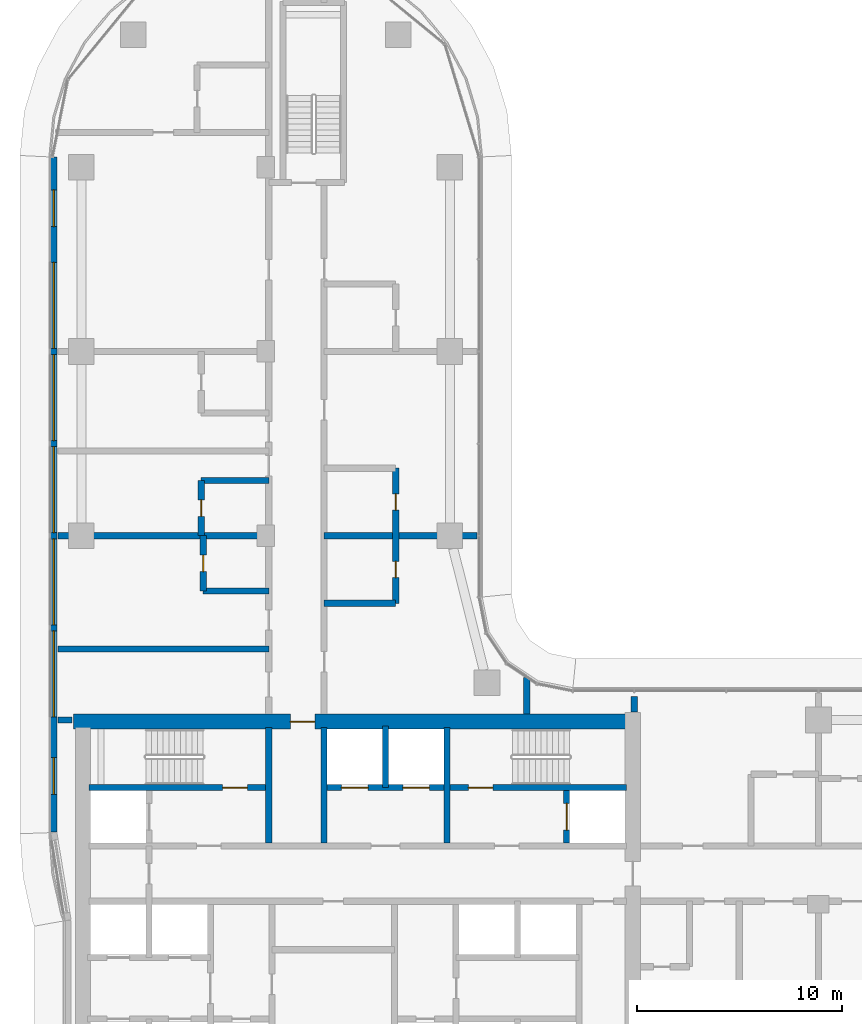
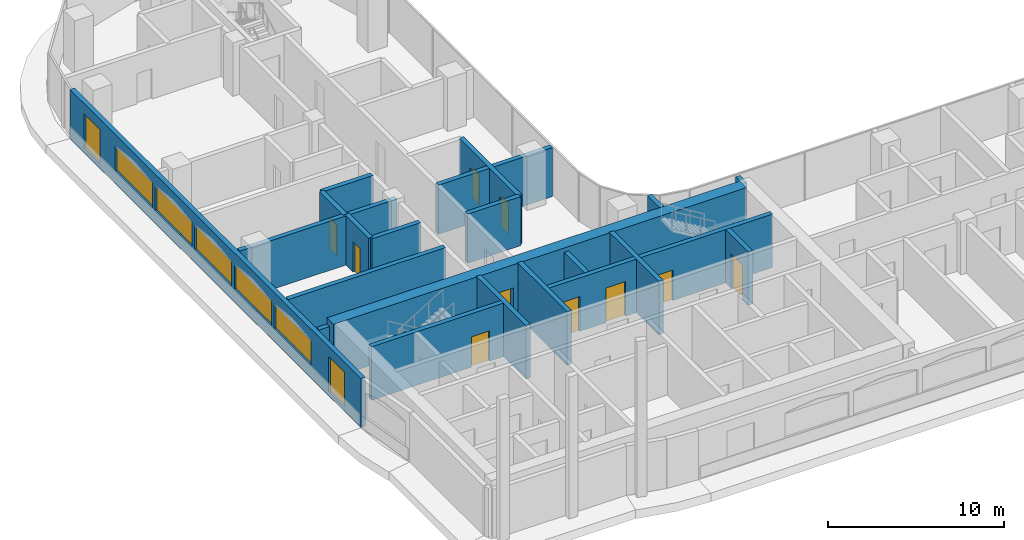
# One storey, part 10 of 25: 21 walls, 10 doors, 7 windows, 17 openings.
"""IFC4 building model written with IfcOpenShell, lengths in metres."""

import ifcopenshell
import ifcopenshell.guid

model = None  # the IFC model being written
_history = None  # IfcOwnerHistory: only IFC2X3 demands one
_inside = {}  # id of a spatial element -> (the spatial element, [elements in it])
_under = {}  # id of a project, library or spatial element -> (it, [spatial elements below it])
_declared = {}  # id of a project -> (the project, [libraries it declares])
_typed = {}  # id of a type object -> (the type object, [elements of that type])
_made_of = {}  # id of a material, layer set ... -> (it, [elements and type objects made of it])


def new_model(schema):
    """Start an empty IFC model of exactly this schema.

    Asked for "IFC4X3", IfcOpenShell would pick the latest addendum, in which some entities
    have other attributes; the version numbers below select the first issue.
    IFC2X3 requires an IfcOwnerHistory on every rooted entity: one is made here for all.
    """
    global model, _history
    if schema == "IFC4X3":
        model = ifcopenshell.file(schema_version=(4, 3, 0, 0))
    else:
        model = ifcopenshell.file(schema=schema)
    _inside.clear()
    _under.clear()
    _declared.clear()
    _typed.clear()
    _made_of.clear()
    _history = None
    if model.schema == "IFC2X3":
        org = make("IfcOrganization", Name="unknown")
        user = make(
            "IfcPersonAndOrganization",
            ThePerson=make("IfcPerson", FamilyName="unknown"),
            TheOrganization=org,
        )
        app = make(
            "IfcApplication",
            ApplicationDeveloper=org,
            Version="unknown",
            ApplicationFullName="unknown",
            ApplicationIdentifier="unknown",
        )
        _history = make(
            "IfcOwnerHistory",
            OwningUser=user,
            OwningApplication=app,
            ChangeAction="ADDED",
            CreationDate=0,
        )
    return model


def make(cls, **values):
    """One entity of the class cls with the attributes given. An attribute that is None is left unset."""
    return model.create_entity(
        cls, **{name: value for name, value in values.items() if value is not None}
    )


def rooted(cls, **values):
    """An entity with a GlobalId (a new one), such as an element, a storey or a relation."""
    return make(cls, GlobalId=ifcopenshell.guid.new(), OwnerHistory=_history, **values)


def si_unit(unit_type, name, prefix=None):
    """IfcSIUnit, for example si_unit("LENGTHUNIT", "METRE", prefix="MILLI")."""
    return make("IfcSIUnit", UnitType=unit_type, Prefix=prefix, Name=name)


def assignment(units):
    """IfcUnitAssignment: the units of a project."""
    return None if units is None else make("IfcUnitAssignment", Units=units)


def point(xyz):
    """IfcCartesianPoint."""
    return None if xyz is None else make("IfcCartesianPoint", Coordinates=xyz)


def direction(xyz):
    """IfcDirection."""
    return None if xyz is None else make("IfcDirection", DirectionRatios=xyz)


def frame(location, z_axis=None, x_axis=None):
    """IfcAxis2Placement3D, a coordinate frame: its origin and axes. An axis left out is left unset."""
    return make(
        "IfcAxis2Placement3D",
        Location=point(location),
        Axis=direction(z_axis),
        RefDirection=direction(x_axis),
    )


def frame_2d(location, x_axis=None):
    """IfcAxis2Placement2D, a coordinate frame in the plane: its origin and x axis."""
    return make(
        "IfcAxis2Placement2D", Location=point(location), RefDirection=direction(x_axis)
    )


def origin():
    """The frame at (0, 0, 0) with its axes left unset."""
    return frame((0.0, 0.0, 0.0))


def place(relative_to, where):
    """IfcLocalPlacement: puts the frame where relative to a parent placement (None: the world)."""
    return make(
        "IfcLocalPlacement", PlacementRelTo=relative_to, RelativePlacement=where
    )


def context(
    kind, dimensions, precision=None, world=None, true_north=None, identifier=None
):
    """IfcGeometricRepresentationContext, for example the 3D "Model" context."""
    return make(
        "IfcGeometricRepresentationContext",
        ContextIdentifier=identifier,
        ContextType=kind,
        CoordinateSpaceDimension=dimensions,
        Precision=precision,
        WorldCoordinateSystem=world,
        TrueNorth=true_north,
    )


def subcontext(parent, identifier, kind, view, scale=None):
    """IfcGeometricRepresentationSubContext, for example "Body" below "Model"."""
    return make(
        "IfcGeometricRepresentationSubContext",
        ContextIdentifier=identifier,
        ContextType=kind,
        ParentContext=parent,
        TargetScale=scale,
        TargetView=view,
    )


def project(units=None, contexts=None):
    """IfcProject with its units and contexts."""
    return rooted(
        "IfcProject",
        Name="project",
        RepresentationContexts=contexts,
        UnitsInContext=assignment(units),
    )


def spatial(cls, under=None, at=None, **own):
    """A site, building, storey or space (cls), placed at a placement, below another one or the project."""
    s = rooted(cls, ObjectPlacement=at, **own)
    if under is not None:
        _under.setdefault(under.id(), (under, []))[1].append(s)
    return s


def profile(cls, at=None, kind="AREA", **sizes):
    """A parametric profile (cls). Its sizes go by their IFC names, for example OverallWidth=200.0."""
    return make(cls, ProfileType=kind, Position=at, **sizes)


def rectangle(**sizes):
    """IfcRectangleProfileDef."""
    return profile("IfcRectangleProfileDef", **sizes)


def extrude(swept, where, along, depth):
    """IfcExtrudedAreaSolid: the profile swept, set in the frame where, extruded along a direction by depth."""
    return make(
        "IfcExtrudedAreaSolid",
        SweptArea=swept,
        Position=where,
        ExtrudedDirection=direction(along),
        Depth=depth,
    )


def shape(context_of_items, identifier, shape_type, items):
    """IfcShapeRepresentation: the items that make up one representation, for example the "Body"."""
    return make(
        "IfcShapeRepresentation",
        ContextOfItems=context_of_items,
        RepresentationIdentifier=identifier,
        RepresentationType=shape_type,
        Items=items,
    )


def material(Name=None, Category=None):
    """IfcMaterial."""
    return make("IfcMaterial", Name=Name, Category=Category)


def layer(
    of_material, thickness, ventilated=None, Name=None, Category=None, Priority=None
):
    """IfcMaterialLayer: one layer of a wall or slab, of a material (None: an air gap)."""
    return make(
        "IfcMaterialLayer",
        Material=of_material,
        LayerThickness=thickness,
        IsVentilated=ventilated,
        Name=Name,
        Category=Category,
        Priority=Priority,
    )


def layer_set(layers, Name=None):
    """IfcMaterialLayerSet."""
    return make("IfcMaterialLayerSet", MaterialLayers=layers, LayerSetName=Name)


def made_of(thing, what):
    """Note that an element or type object is made of a material, layer set ...; save() writes the relation."""
    if what is not None:
        _made_of.setdefault(what.id(), (what, []))[1].append(thing)
    return thing


def type_object(cls, material=None, **own):
    """A type object (cls), such as IfcWallType, which elements share."""
    return made_of(rooted(cls, **own), material)


def element(
    cls,
    number,
    at=None,
    inside=None,
    cuts=None,
    type_object=None,
    material=None,
    context=None,
    identifier="Body",
    shape_type=None,
    held_by="IfcProductDefinitionShape",
    body=None,
    shapes=None,
    **own,
):
    """One element of the class cls, such as IfcWall. Its Tag is "e" and its number.

    at: its placement. inside: the storey or other place that contains it. cuts: it is an
    opening in that element (IfcRelVoidsElement). A single representation is given by context,
    identifier, shape_type and body (its items); several are given by shapes. held_by: the class
    of the entity that holds the representations. save() writes the other relations.
    """
    e = rooted(cls, Tag="e%d" % number, ObjectPlacement=at, **own)
    if body is not None:
        shapes = [shape(context, identifier, shape_type, body)]
    if shapes is not None:
        e.Representation = make(held_by, Representations=shapes)
    if inside is not None:
        _inside.setdefault(inside.id(), (inside, []))[1].append(e)
    if cuts is not None:
        rooted(
            "IfcRelVoidsElement", RelatingBuildingElement=cuts, RelatedOpeningElement=e
        )
    if type_object is not None:
        _typed.setdefault(type_object.id(), (type_object, []))[1].append(e)
    return made_of(e, material)


def fill(opening, filler):
    """IfcRelFillsElement: the door or window that sits in an opening."""
    return rooted(
        "IfcRelFillsElement",
        RelatingOpeningElement=opening,
        RelatedBuildingElement=filler,
    )


def aggregate(whole, parts):
    """IfcRelAggregates: a whole, such as a stair, and the parts it consists of."""
    return rooted("IfcRelAggregates", RelatingObject=whole, RelatedObjects=parts)


def save(model, path):
    """Write the relations noted so far, then the file.

    IfcRelAggregates (storeys below a building ...), IfcRelContainedInSpatialStructure (elements
    in a storey), IfcRelDefinesByType, IfcRelAssociatesMaterial and IfcRelDeclares: one each for
    every whole, place, type object, material and project.
    """
    for whole, parts in _under.values():
        aggregate(whole, parts)
    for where, things in _inside.values():
        rooted(
            "IfcRelContainedInSpatialStructure",
            RelatedElements=things,
            RelatingStructure=where,
        )
    for kind, things in _typed.values():
        rooted("IfcRelDefinesByType", RelatedObjects=things, RelatingType=kind)
    for what, things in _made_of.values():
        rooted("IfcRelAssociatesMaterial", RelatedObjects=things, RelatingMaterial=what)
    for by, libraries in _declared.values():
        rooted("IfcRelDeclares", RelatingContext=by, RelatedDefinitions=libraries)
    model.write(path)


model = new_model("IFC4")

# Units and contexts
model_context = context("Model", 3, precision=1e-05, world=origin(), true_north=direction((0.0, 1.0)))
body_context = subcontext(model_context, "Body", "Model", "MODEL_VIEW")
ifc_project = project(units=[si_unit("LENGTHUNIT", "METRE"), si_unit("AREAUNIT", "SQUARE_METRE"), si_unit("VOLUMEUNIT", "CUBIC_METRE"), si_unit("PLANEANGLEUNIT", "RADIAN"), si_unit("MASSUNIT", "GRAM", prefix="KILO")], contexts=[model_context])

# Site, building, storey
site_placement = place(None, origin())
site = spatial("IfcSite", under=ifc_project, at=site_placement, CompositionType="ELEMENT")
building_placement = place(site_placement, origin())
building = spatial("IfcBuilding", under=site, at=building_placement, Name="Ogive Portal Towers", CompositionType="ELEMENT")
storey_placement = place(building_placement, frame((0.0, 0.0, 105.60009765625)))
storey = spatial("IfcBuildingStorey", under=building, at=storey_placement, Name="L25", CompositionType="ELEMENT", Elevation=105.60009765625)

# Wall, opening, door
ifc_material_1 = material(Name="Concrete C60/75", Category="concrete")
ifc_layer_1 = layer(ifc_material_1, 0.300048828125)
ifc_layer_set_1 = layer_set([ifc_layer_1], Name="CORE WALL 300 C60")
wall_type_1 = type_object("IfcWallType", Name="CORE WALL 300 C60", PredefinedType="SHEAR", material=ifc_layer_set_1)
wall_1_placement = place(storey_placement, frame((31.875, 36.199951171875, 0.0), z_axis=(0.0, 0.0, 1.0), x_axis=(1.0, 0.0, 0.0)))
wall_1 = element("IfcWall", 1, at=wall_1_placement, inside=storey, type_object=wall_type_1, Name="Core wall Y3a L25", PredefinedType="SHEAR", context=body_context, shape_type="SweptSolid", body=[
    extrude(rectangle(XDim=8.625, YDim=0.300048828125, at=frame_2d((4.3125, 0.0))), origin(), (0.0, 0.0, 1.0), 3.699951171875),
])
opening_1_placement = place(wall_1_placement, frame((6.52490234375, 0.0, 0.0)))
opening_1 = element("IfcOpeningElement", 2, at=opening_1_placement, cuts=wall_1, Name="Opening D09-005", PredefinedType="OPENING", context=body_context, shape_type="SweptSolid", body=[
    extrude(rectangle(XDim=1.199951171875, YDim=2.10009765625, at=frame_2d((0.60009765625, 1.050048828125))), frame((0.0, 0.16015625, 0.0), z_axis=(0.0, -1.0, 0.0), x_axis=(1.0, 0.0, 0.0)), (0.0, 0.0, 1.0), 0.320068359375),
])
ifc_material_2 = material(Name="Steel fire door", Category="steel")
door_type_1 = type_object("IfcDoorType", Name="DT-SWING-1200x2100-FD90S", OperationType="SINGLE_SWING_LEFT", PredefinedType="DOOR", material=ifc_material_2)
door_1_placement = place(opening_1_placement, origin())
door_1 = element("IfcDoor", 3, at=door_1_placement, inside=storey, type_object=door_type_1, Name="Door D09-005", OperationType="SINGLE_SWING_RIGHT", OverallHeight=2.10009765625, OverallWidth=1.199951171875, PredefinedType="DOOR", context=body_context, shape_type="SweptSolid", body=[
    extrude(rectangle(XDim=1.199951171875, YDim=2.10009765625, at=frame_2d((0.60009765625, 1.050048828125))), frame((0.0, 0.02490234375, 0.0), z_axis=(0.0, -1.0, 0.0), x_axis=(1.0, 0.0, 0.0)), (0.0, 0.0, 1.0), 0.050048828125),
])
fill(opening_1, door_1)

# Wall, openings, doors
wall_2_placement = place(storey_placement, frame((43.5, 36.199951171875, 0.0), z_axis=(0.0, 0.0, 1.0), x_axis=(1.0, 0.0, 0.0)))
wall_2 = element("IfcWall", 4, at=wall_2_placement, inside=storey, type_object=wall_type_1, Name="Core wall Y3b L25", PredefinedType="SHEAR", context=body_context, shape_type="SweptSolid", body=[
    extrude(rectangle(XDim=14.625, YDim=0.300048828125, at=frame_2d((7.3125, 0.0))), origin(), (0.0, 0.0, 1.0), 3.699951171875),
])
opening_2_placement = place(wall_2_placement, frame((6.89990234375, 0.0, 0.0)))
opening_2 = element("IfcOpeningElement", 5, at=opening_2_placement, cuts=wall_2, Name="Opening D09-006", PredefinedType="OPENING", context=body_context, shape_type="SweptSolid", body=[
    extrude(rectangle(XDim=1.199951171875, YDim=2.10009765625, at=frame_2d((0.60009765625, 1.050048828125))), frame((0.0, 0.16015625, 0.0), z_axis=(0.0, -1.0, 0.0), x_axis=(1.0, 0.0, 0.0)), (0.0, 0.0, 1.0), 0.320068359375),
])
opening_3_placement = place(wall_2_placement, frame((0.699951171875, 0.0, 0.0)))
opening_3 = element("IfcOpeningElement", 6, at=opening_3_placement, cuts=wall_2, Name="Opening D09-016", PredefinedType="OPENING", context=body_context, shape_type="SweptSolid", body=[
    extrude(rectangle(XDim=1.300048828125, YDim=2.39990234375, at=frame_2d((0.64990234375, 1.199951171875))), frame((0.0, 0.16015625, 0.0), z_axis=(0.0, -1.0, 0.0), x_axis=(1.0, 0.0, 0.0)), (0.0, 0.0, 1.0), 0.320068359375),
])
opening_4_placement = place(wall_2_placement, frame((3.699951171875, 0.0, 0.0)))
opening_4 = element("IfcOpeningElement", 7, at=opening_4_placement, cuts=wall_2, Name="Opening D09-017", PredefinedType="OPENING", context=body_context, shape_type="SweptSolid", body=[
    extrude(rectangle(XDim=1.300048828125, YDim=2.39990234375, at=frame_2d((0.64990234375, 1.199951171875))), frame((0.0, 0.16015625, 0.0), z_axis=(0.0, -1.0, 0.0), x_axis=(1.0, 0.0, 0.0)), (0.0, 0.0, 1.0), 0.320068359375),
])
ifc_material_3 = material(Name="Stainless steel", Category="steel")
door_type_2 = type_object("IfcDoorType", Name="DT-LD-1300x2400", OperationType="SLIDING_TO_LEFT", PredefinedType="DOOR", material=ifc_material_3)
door_2_placement = place(opening_3_placement, origin())
door_2 = element("IfcDoor", 8, at=door_2_placement, inside=storey, type_object=door_type_2, Name="Door D09-016", OperationType="SLIDING_TO_LEFT", OverallHeight=2.39990234375, OverallWidth=1.300048828125, PredefinedType="DOOR", context=body_context, shape_type="SweptSolid", body=[
    extrude(rectangle(XDim=1.300048828125, YDim=2.39990234375, at=frame_2d((0.64990234375, 1.199951171875))), frame((0.0, 0.02490234375, 0.0), z_axis=(0.0, -1.0, 0.0), x_axis=(1.0, 0.0, 0.0)), (0.0, 0.0, 1.0), 0.050048828125),
])
fill(opening_3, door_2)
door_3_placement = place(opening_4_placement, origin())
door_3 = element("IfcDoor", 9, at=door_3_placement, inside=storey, type_object=door_type_2, Name="Door D09-017", OperationType="SLIDING_TO_LEFT", OverallHeight=2.39990234375, OverallWidth=1.300048828125, PredefinedType="DOOR", context=body_context, shape_type="SweptSolid", body=[
    extrude(rectangle(XDim=1.300048828125, YDim=2.39990234375, at=frame_2d((0.64990234375, 1.199951171875))), frame((0.0, 0.02490234375, 0.0), z_axis=(0.0, -1.0, 0.0), x_axis=(1.0, 0.0, 0.0)), (0.0, 0.0, 1.0), 0.050048828125),
])
fill(opening_4, door_3)
door_4_placement = place(opening_2_placement, origin())
door_4 = element("IfcDoor", 10, at=door_4_placement, inside=storey, type_object=door_type_1, Name="Door D09-006", OperationType="SINGLE_SWING_LEFT", OverallHeight=2.10009765625, OverallWidth=1.199951171875, PredefinedType="DOOR", context=body_context, shape_type="SweptSolid", body=[
    extrude(rectangle(XDim=1.199951171875, YDim=2.10009765625, at=frame_2d((0.60009765625, 1.050048828125))), frame((0.0, 0.02490234375, 0.0), z_axis=(0.0, -1.0, 0.0), x_axis=(1.0, 0.0, 0.0)), (0.0, 0.0, 1.0), 0.050048828125),
])
fill(opening_2, door_4)

# Walls
for number, where, z_axis, x_axis, name in (
    (11, (40.64990234375, 33.5, 0.0), (0.0, 0.0, 1.0), (0.0, 1.0, 0.0), "Core wall X6 L25"),
    (12, (43.35009765625, 33.5, 0.0), (0.0, 0.0, 1.0), (0.0, 1.0, 0.0), "Core wall X7 L25"),
    (13, (49.35009765625, 33.5, 0.0), (0.0, 0.0, 1.0), (0.0, 1.0, 0.0), "Core wall X9 L25"),
):
    element("IfcWall", number, at=place(storey_placement, frame(where, z_axis=z_axis, x_axis=x_axis)), inside=storey, type_object=wall_type_1, Name=name, PredefinedType="SHEAR", context=body_context, shape_type="SweptSolid", body=[
        extrude(rectangle(XDim=5.625, YDim=0.300048828125, at=frame_2d((2.8125, 0.0))), origin(), (0.0, 0.0, 1.0), 3.699951171875),
    ])

# Wall, opening, door
wall_3_placement = place(storey_placement, frame((55.199951171875, 33.5, 0.0), z_axis=(0.0, 0.0, 1.0), x_axis=(0.0, 1.0, 0.0)))
wall_3 = element("IfcWall", 14, at=wall_3_placement, inside=storey, type_object=wall_type_1, Name="Core wall X10 L25", PredefinedType="SHEAR", context=body_context, shape_type="SweptSolid", body=[
    extrude(rectangle(XDim=2.550048828125, YDim=0.300048828125, at=frame_2d((1.27490234375, 0.0))), origin(), (0.0, 0.0, 1.0), 3.699951171875),
])
opening_5_placement = place(wall_3_placement, frame((0.625, 0.0, 0.0)))
opening_5 = element("IfcOpeningElement", 15, at=opening_5_placement, cuts=wall_3, Name="Opening D09-019", PredefinedType="OPENING", context=body_context, shape_type="SweptSolid", body=[
    extrude(rectangle(XDim=1.300048828125, YDim=2.39990234375, at=frame_2d((0.64990234375, 1.199951171875))), frame((0.0, 0.16015625, 0.0), z_axis=(0.0, -1.0, 0.0), x_axis=(1.0, 0.0, 0.0)), (0.0, 0.0, 1.0), 0.320068359375),
])
door_5_placement = place(opening_5_placement, origin())
door_5 = element("IfcDoor", 16, at=door_5_placement, inside=storey, type_object=door_type_2, Name="Door D09-019", OperationType="SLIDING_TO_LEFT", OverallHeight=2.39990234375, OverallWidth=1.300048828125, PredefinedType="DOOR", context=body_context, shape_type="SweptSolid", body=[
    extrude(rectangle(XDim=1.300048828125, YDim=2.39990234375, at=frame_2d((0.64990234375, 1.199951171875))), frame((0.0, 0.02490234375, 0.0), z_axis=(0.0, -1.0, 0.0), x_axis=(1.0, 0.0, 0.0)), (0.0, 0.0, 1.0), 0.050048828125),
])
fill(opening_5, door_5)

ifc_layer_2 = layer(ifc_material_1, 0.75)
ifc_layer_set_2 = layer_set([ifc_layer_2], Name="CORE WALL 750 C60")
wall_type_2 = type_object("IfcWallType", Name="CORE WALL 750 C60", PredefinedType="SHEAR", material=ifc_layer_set_2)
wall_4_placement = place(storey_placement, frame((31.125, 39.425048828125, 0.0), z_axis=(0.0, 0.0, 1.0), x_axis=(1.0, 0.0, 0.0)))
wall_4 = element("IfcWall", 17, at=wall_4_placement, inside=storey, type_object=wall_type_2, Name="Core wall N L25", PredefinedType="SHEAR", context=body_context, shape_type="SweptSolid", body=[
    extrude(rectangle(XDim=27.0, YDim=0.75, at=frame_2d((13.5, 0.0))), origin(), (0.0, 0.0, 1.0), 3.699951171875),
])
opening_6_placement = place(wall_4_placement, frame((10.574951171875, 0.0, 0.0)))
opening_6 = element("IfcOpeningElement", 18, at=opening_6_placement, cuts=wall_4, Name="Opening D09-011", PredefinedType="OPENING", context=body_context, shape_type="SweptSolid", body=[
    extrude(rectangle(XDim=1.199951171875, YDim=2.10009765625, at=frame_2d((0.60009765625, 1.050048828125))), frame((0.0, 0.385009765625, 0.0), z_axis=(0.0, -1.0, 0.0), x_axis=(1.0, 0.0, 0.0)), (0.0, 0.0, 1.0), 0.77001953125),
])
door_6_placement = place(opening_6_placement, origin())
door_6 = element("IfcDoor", 19, at=door_6_placement, inside=storey, type_object=door_type_1, Name="Door D09-011", OperationType="SINGLE_SWING_RIGHT", OverallHeight=2.10009765625, OverallWidth=1.199951171875, PredefinedType="DOOR", context=body_context, shape_type="SweptSolid", body=[
    extrude(rectangle(XDim=1.199951171875, YDim=2.10009765625, at=frame_2d((0.60009765625, 1.050048828125))), frame((0.0, 0.02490234375, 0.0), z_axis=(0.0, -1.0, 0.0), x_axis=(1.0, 0.0, 0.0)), (0.0, 0.0, 1.0), 0.050048828125),
])
fill(opening_6, door_6)

# Wall, openings, windows
ifc_material_4 = material(Name="Limestone cladding on lightweight block wall", Category="masonry")
ifc_layer_3 = layer(ifc_material_4, 0.300048828125)
ifc_layer_set_3 = layer_set([ifc_layer_3], Name="EXTERNAL WALL 300 STONE")
wall_type_3 = type_object("IfcWallType", Name="EXTERNAL WALL 300 STONE", PredefinedType="SOLIDWALL", material=ifc_layer_set_3)
wall_5_placement = place(storey_placement, frame((30.14990234375, 66.9921875, 0.0), z_axis=(0.0, 0.0, 1.0), x_axis=(0.0, -1.0, 0.0)))
wall_5 = element("IfcWall", 20, at=wall_5_placement, inside=storey, type_object=wall_type_3, Name="A:L25:f24:r0:wall", PredefinedType="SOLIDWALL", context=body_context, shape_type="SweptSolid", body=[
    extrude(rectangle(XDim=32.968017578125, YDim=0.300048828125, at=frame_2d((16.48388671875, 0.0))), origin(), (0.0, 0.0, 1.0), 3.39990234375),
])
opening_7_placement = place(wall_5_placement, frame((1.595947265625, 0.0, 0.300048828125)))
opening_7 = element("IfcOpeningElement", 21, at=opening_7_placement, cuts=wall_5, Name="Opening WN10", PredefinedType="OPENING", context=body_context, shape_type="SweptSolid", body=[
    extrude(rectangle(XDim=1.800048828125, YDim=2.39990234375, at=frame_2d((0.89990234375, 1.199951171875))), frame((0.0, 0.16015625, 0.0), z_axis=(0.0, -1.0, 0.0), x_axis=(1.0, 0.0, 0.0)), (0.0, 0.0, 1.0), 0.320068359375),
])
opening_8_placement = place(wall_5_placement, frame((5.14208984375, 0.0, 0.89990234375)))
opening_8 = element("IfcOpeningElement", 22, at=opening_8_placement, cuts=wall_5, Name="Opening WN13", PredefinedType="OPENING", context=body_context, shape_type="SweptSolid", body=[
    extrude(rectangle(XDim=4.199951171875, YDim=1.699951171875, at=frame_2d((2.10009765625, 0.85009765625))), frame((0.0, 0.16015625, 0.0), z_axis=(0.0, -1.0, 0.0), x_axis=(1.0, 0.0, 0.0)), (0.0, 0.0, 1.0), 0.320068359375),
])
opening_9_placement = place(wall_5_placement, frame((9.64208984375, 0.0, 0.89990234375)))
opening_9 = element("IfcOpeningElement", 23, at=opening_9_placement, cuts=wall_5, Name="Opening WN13", PredefinedType="OPENING", context=body_context, shape_type="SweptSolid", body=[
    extrude(rectangle(XDim=4.199951171875, YDim=1.699951171875, at=frame_2d((2.10009765625, 0.85009765625))), frame((0.0, 0.16015625, 0.0), z_axis=(0.0, -1.0, 0.0), x_axis=(1.0, 0.0, 0.0)), (0.0, 0.0, 1.0), 0.320068359375),
])
opening_10_placement = place(wall_5_placement, frame((14.14208984375, 0.0, 0.89990234375)))
opening_10 = element("IfcOpeningElement", 24, at=opening_10_placement, cuts=wall_5, Name="Opening WN13", PredefinedType="OPENING", context=body_context, shape_type="SweptSolid", body=[
    extrude(rectangle(XDim=4.199951171875, YDim=1.699951171875, at=frame_2d((2.10009765625, 0.85009765625))), frame((0.0, 0.16015625, 0.0), z_axis=(0.0, -1.0, 0.0), x_axis=(1.0, 0.0, 0.0)), (0.0, 0.0, 1.0), 0.320068359375),
])
opening_11_placement = place(wall_5_placement, frame((18.64208984375, 0.0, 0.89990234375)))
opening_11 = element("IfcOpeningElement", 25, at=opening_11_placement, cuts=wall_5, Name="Opening WN13", PredefinedType="OPENING", context=body_context, shape_type="SweptSolid", body=[
    extrude(rectangle(XDim=4.199951171875, YDim=1.699951171875, at=frame_2d((2.10009765625, 0.85009765625))), frame((0.0, 0.16015625, 0.0), z_axis=(0.0, -1.0, 0.0), x_axis=(1.0, 0.0, 0.0)), (0.0, 0.0, 1.0), 0.320068359375),
])
opening_12_placement = place(wall_5_placement, frame((23.14208984375, 0.0, 0.89990234375)))
opening_12 = element("IfcOpeningElement", 26, at=opening_12_placement, cuts=wall_5, Name="Opening WN13", PredefinedType="OPENING", context=body_context, shape_type="SweptSolid", body=[
    extrude(rectangle(XDim=4.199951171875, YDim=1.699951171875, at=frame_2d((2.10009765625, 0.85009765625))), frame((0.0, 0.16015625, 0.0), z_axis=(0.0, -1.0, 0.0), x_axis=(1.0, 0.0, 0.0)), (0.0, 0.0, 1.0), 0.320068359375),
])
opening_13_placement = place(wall_5_placement, frame((29.330078125, 0.0, 0.300048828125)))
opening_13 = element("IfcOpeningElement", 27, at=opening_13_placement, cuts=wall_5, Name="Opening WN10", PredefinedType="OPENING", context=body_context, shape_type="SweptSolid", body=[
    extrude(rectangle(XDim=1.800048828125, YDim=2.39990234375, at=frame_2d((0.89990234375, 1.199951171875))), frame((0.0, 0.16015625, 0.0), z_axis=(0.0, -1.0, 0.0), x_axis=(1.0, 0.0, 0.0)), (0.0, 0.0, 1.0), 0.320068359375),
])
ifc_material_5 = material(Name="Glass, clear low-iron insulated glazing", Category="glass")
window_type_1 = type_object("IfcWindowType", Name="WINDOW RIBBON LANCET 4200x1700", PartitioningType="TRIPLE_PANEL_VERTICAL", PredefinedType="WINDOW", material=ifc_material_5)
window_1_placement = place(opening_8_placement, origin())
window_1 = element("IfcWindow", 28, at=window_1_placement, inside=storey, type_object=window_type_1, Name="A:L25:f24:r0:w1", OverallHeight=1.699951171875, OverallWidth=4.199951171875, PartitioningType="SINGLE_PANEL", PredefinedType="WINDOW", context=body_context, shape_type="SweptSolid", body=[
    extrude(rectangle(XDim=4.199951171875, YDim=1.699951171875, at=frame_2d((2.10009765625, 0.85009765625))), frame((0.0, 0.030029296875, 0.0), z_axis=(0.0, -1.0, 0.0), x_axis=(1.0, 0.0, 0.0)), (0.0, 0.0, 1.0), 0.06005859375),
])
fill(opening_8, window_1)
window_2_placement = place(opening_9_placement, origin())
window_2 = element("IfcWindow", 29, at=window_2_placement, inside=storey, type_object=window_type_1, Name="A:L25:f24:r0:w2", OverallHeight=1.699951171875, OverallWidth=4.199951171875, PartitioningType="SINGLE_PANEL", PredefinedType="WINDOW", context=body_context, shape_type="SweptSolid", body=[
    extrude(rectangle(XDim=4.199951171875, YDim=1.699951171875, at=frame_2d((2.10009765625, 0.85009765625))), frame((0.0, 0.030029296875, 0.0), z_axis=(0.0, -1.0, 0.0), x_axis=(1.0, 0.0, 0.0)), (0.0, 0.0, 1.0), 0.06005859375),
])
fill(opening_9, window_2)
window_3_placement = place(opening_10_placement, origin())
window_3 = element("IfcWindow", 30, at=window_3_placement, inside=storey, type_object=window_type_1, Name="A:L25:f24:r0:w3", OverallHeight=1.699951171875, OverallWidth=4.199951171875, PartitioningType="SINGLE_PANEL", PredefinedType="WINDOW", context=body_context, shape_type="SweptSolid", body=[
    extrude(rectangle(XDim=4.199951171875, YDim=1.699951171875, at=frame_2d((2.10009765625, 0.85009765625))), frame((0.0, 0.030029296875, 0.0), z_axis=(0.0, -1.0, 0.0), x_axis=(1.0, 0.0, 0.0)), (0.0, 0.0, 1.0), 0.06005859375),
])
fill(opening_10, window_3)
window_4_placement = place(opening_11_placement, origin())
window_4 = element("IfcWindow", 31, at=window_4_placement, inside=storey, type_object=window_type_1, Name="A:L25:f24:r0:w4", OverallHeight=1.699951171875, OverallWidth=4.199951171875, PartitioningType="SINGLE_PANEL", PredefinedType="WINDOW", context=body_context, shape_type="SweptSolid", body=[
    extrude(rectangle(XDim=4.199951171875, YDim=1.699951171875, at=frame_2d((2.10009765625, 0.85009765625))), frame((0.0, 0.030029296875, 0.0), z_axis=(0.0, -1.0, 0.0), x_axis=(1.0, 0.0, 0.0)), (0.0, 0.0, 1.0), 0.06005859375),
])
fill(opening_11, window_4)
window_5_placement = place(opening_12_placement, origin())
window_5 = element("IfcWindow", 32, at=window_5_placement, inside=storey, type_object=window_type_1, Name="A:L25:f24:r0:w5", OverallHeight=1.699951171875, OverallWidth=4.199951171875, PartitioningType="SINGLE_PANEL", PredefinedType="WINDOW", context=body_context, shape_type="SweptSolid", body=[
    extrude(rectangle(XDim=4.199951171875, YDim=1.699951171875, at=frame_2d((2.10009765625, 0.85009765625))), frame((0.0, 0.030029296875, 0.0), z_axis=(0.0, -1.0, 0.0), x_axis=(1.0, 0.0, 0.0)), (0.0, 0.0, 1.0), 0.06005859375),
])
fill(opening_12, window_5)
window_type_2 = type_object("IfcWindowType", Name="WINDOW SUITE CORNER 1800x2400", PartitioningType="DOUBLE_PANEL_VERTICAL", PredefinedType="WINDOW", material=ifc_material_5)
window_6_placement = place(opening_7_placement, origin())
window_6 = element("IfcWindow", 33, at=window_6_placement, inside=storey, type_object=window_type_2, Name="A:L25:f24:r0:w0", OverallHeight=2.39990234375, OverallWidth=1.800048828125, PartitioningType="SINGLE_PANEL", PredefinedType="WINDOW", context=body_context, shape_type="SweptSolid", body=[
    extrude(rectangle(XDim=1.800048828125, YDim=2.39990234375, at=frame_2d((0.89990234375, 1.199951171875))), frame((0.0, 0.030029296875, 0.0), z_axis=(0.0, -1.0, 0.0), x_axis=(1.0, 0.0, 0.0)), (0.0, 0.0, 1.0), 0.06005859375),
])
fill(opening_7, window_6)
window_7_placement = place(opening_13_placement, origin())
window_7 = element("IfcWindow", 34, at=window_7_placement, inside=storey, type_object=window_type_2, Name="A:L25:f24:r0:w6", OverallHeight=2.39990234375, OverallWidth=1.800048828125, PartitioningType="SINGLE_PANEL", PredefinedType="WINDOW", context=body_context, shape_type="SweptSolid", body=[
    extrude(rectangle(XDim=1.800048828125, YDim=2.39990234375, at=frame_2d((0.89990234375, 1.199951171875))), frame((0.0, 0.030029296875, 0.0), z_axis=(0.0, -1.0, 0.0), x_axis=(1.0, 0.0, 0.0)), (0.0, 0.0, 1.0), 0.06005859375),
])
fill(opening_13, window_7)

# Walls
ifc_material_6 = material(Name="Gypsum board partition on steel studs", Category="steel")
ifc_layer_4 = layer(ifc_material_6, 0.300048828125)
ifc_layer_set_4 = layer_set([ifc_layer_4], Name="WT-PART-300-EI 60")
wall_type_4 = type_object("IfcWallType", Name="WT-PART-300-EI 60", PredefinedType="PARTITIONING", material=ifc_layer_set_4)
wall_6_placement = place(storey_placement, frame((30.35009765625, 39.5, 0.0), z_axis=(0.0, 0.0, 1.0), x_axis=(1.0, 0.0, 0.0)))
element("IfcWall", 35, at=wall_6_placement, inside=storey, type_object=wall_type_4, Name="Wall L25:w015", PredefinedType="PARTITIONING", context=body_context, shape_type="SweptSolid", body=[
    extrude(rectangle(XDim=0.679931640625, YDim=0.300048828125, at=frame_2d((0.33984375, 0.0))), origin(), (0.0, 0.0, 1.0), 3.39990234375),
])
wall_7_placement = place(storey_placement, frame((30.35009765625, 42.969970703125, 0.0), z_axis=(0.0, 0.0, 1.0), x_axis=(1.0, 0.0, 0.0)))
element("IfcWall", 36, at=wall_7_placement, inside=storey, type_object=wall_type_4, Name="Wall L25:w016", PredefinedType="PARTITIONING", context=body_context, shape_type="SweptSolid", body=[
    extrude(rectangle(XDim=10.2998046875, YDim=0.300048828125, at=frame_2d((5.14990234375, 0.0))), origin(), (0.0, 0.0, 1.0), 3.39990234375),
])
wall_8_placement = place(storey_placement, frame((43.35009765625, 45.199951171875, 0.0), z_axis=(0.0, 0.0, 1.0), x_axis=(1.0, 0.0, 0.0)))
element("IfcWall", 37, at=wall_8_placement, inside=storey, type_object=wall_type_4, Name="Wall L25:w017", PredefinedType="PARTITIONING", context=body_context, shape_type="SweptSolid", body=[
    extrude(rectangle(XDim=3.5, YDim=0.300048828125, at=frame_2d((1.75, 0.0))), origin(), (0.0, 0.0, 1.0), 3.39990234375),
])
wall_9_placement = place(storey_placement, frame((37.449951171875, 45.800048828125, 0.0), z_axis=(0.0, 0.0, 1.0), x_axis=(1.0, 0.0, 0.0)))
element("IfcWall", 38, at=wall_9_placement, inside=storey, type_object=wall_type_4, Name="Wall L25:w018", PredefinedType="PARTITIONING", context=body_context, shape_type="SweptSolid", body=[
    extrude(rectangle(XDim=3.199951171875, YDim=0.300048828125, at=frame_2d((1.60009765625, 0.0))), origin(), (0.0, 0.0, 1.0), 3.39990234375),
])
wall_10_placement = place(storey_placement, frame((30.35009765625, 48.5, 0.0), z_axis=(0.0, 0.0, 1.0), x_axis=(1.0, 0.0, 0.0)))
element("IfcWall", 39, at=wall_10_placement, inside=storey, type_object=wall_type_4, Name="Wall L25:w019", PredefinedType="PARTITIONING", context=body_context, shape_type="SweptSolid", body=[
    extrude(rectangle(XDim=10.2998046875, YDim=0.300048828125, at=frame_2d((5.14990234375, 0.0))), origin(), (0.0, 0.0, 1.0), 3.39990234375),
])
wall_11_placement = place(storey_placement, frame((43.35009765625, 48.5, 0.0), z_axis=(0.0, 0.0, 1.0), x_axis=(1.0, 0.0, 0.0)))
element("IfcWall", 40, at=wall_11_placement, inside=storey, type_object=wall_type_4, Name="Wall L25:w020", PredefinedType="PARTITIONING", context=body_context, shape_type="SweptSolid", body=[
    extrude(rectangle(XDim=7.47998046875, YDim=0.300048828125, at=frame_2d((3.739990234375, 0.0))), origin(), (0.0, 0.0, 1.0), 3.39990234375),
])
wall_12_placement = place(storey_placement, frame((37.35009765625, 51.199951171875, 0.0), z_axis=(0.0, 0.0, 1.0), x_axis=(1.0, 0.0, 0.0)))
element("IfcWall", 41, at=wall_12_placement, inside=storey, type_object=wall_type_4, Name="Wall L25:w021", PredefinedType="PARTITIONING", context=body_context, shape_type="SweptSolid", body=[
    extrude(rectangle(XDim=3.2998046875, YDim=0.300048828125, at=frame_2d((1.64990234375, 0.0))), origin(), (0.0, 0.0, 1.0), 3.39990234375),
])

# Wall, opening, door
wall_13_placement = place(storey_placement, frame((37.35009765625, 48.5, 0.0), z_axis=(0.0, 0.0, 1.0), x_axis=(0.0, 1.0, 0.0)))
wall_13 = element("IfcWall", 42, at=wall_13_placement, inside=storey, type_object=wall_type_4, Name="Wall L25:w033", PredefinedType="PARTITIONING", context=body_context, shape_type="SweptSolid", body=[
    extrude(rectangle(XDim=2.699951171875, YDim=0.300048828125, at=frame_2d((1.35009765625, 0.0))), origin(), (0.0, 0.0, 1.0), 3.39990234375),
])
opening_14_placement = place(wall_13_placement, frame((0.949951171875, 0.0, 0.0)))
opening_14 = element("IfcOpeningElement", 43, at=opening_14_placement, cuts=wall_13, Name="Opening D09-049", PredefinedType="OPENING", context=body_context, shape_type="SweptSolid", body=[
    extrude(rectangle(XDim=0.800048828125, YDim=2.10009765625, at=frame_2d((0.39990234375, 1.050048828125))), frame((0.0, 0.16015625, 0.0), z_axis=(0.0, -1.0, 0.0), x_axis=(1.0, 0.0, 0.0)), (0.0, 0.0, 1.0), 0.320068359375),
])
door_type_3 = type_object("IfcDoorType", Name="DT-BATH-800x2100-FD60S", OperationType="SINGLE_SWING_LEFT", PredefinedType="DOOR", material=ifc_material_2)
door_7_placement = place(opening_14_placement, origin())
door_7 = element("IfcDoor", 44, at=door_7_placement, inside=storey, type_object=door_type_3, Name="Door D09-049", OperationType="SINGLE_SWING_RIGHT", OverallHeight=2.10009765625, OverallWidth=0.800048828125, PredefinedType="DOOR", context=body_context, shape_type="SweptSolid", body=[
    extrude(rectangle(XDim=0.800048828125, YDim=2.10009765625, at=frame_2d((0.39990234375, 1.050048828125))), frame((0.0, 0.02490234375, 0.0), z_axis=(0.0, -1.0, 0.0), x_axis=(1.0, 0.0, 0.0)), (0.0, 0.0, 1.0), 0.050048828125),
])
fill(opening_14, door_7)

wall_14_placement = place(storey_placement, frame((37.449951171875, 45.800048828125, 0.0), z_axis=(0.0, 0.0, 1.0), x_axis=(0.0, 1.0, 0.0)))
wall_14 = element("IfcWall", 45, at=wall_14_placement, inside=storey, type_object=wall_type_4, Name="Wall L25:w035", PredefinedType="PARTITIONING", context=body_context, shape_type="SweptSolid", body=[
    extrude(rectangle(XDim=2.699951171875, YDim=0.300048828125, at=frame_2d((1.35009765625, 0.0))), origin(), (0.0, 0.0, 1.0), 3.39990234375),
])
opening_15_placement = place(wall_14_placement, frame((0.949951171875, 0.0, 0.0)))
opening_15 = element("IfcOpeningElement", 46, at=opening_15_placement, cuts=wall_14, Name="Opening D09-045", PredefinedType="OPENING", context=body_context, shape_type="SweptSolid", body=[
    extrude(rectangle(XDim=0.800048828125, YDim=2.10009765625, at=frame_2d((0.39990234375, 1.050048828125))), frame((0.0, 0.16015625, 0.0), z_axis=(0.0, -1.0, 0.0), x_axis=(1.0, 0.0, 0.0)), (0.0, 0.0, 1.0), 0.320068359375),
])
door_8_placement = place(opening_15_placement, origin())
door_8 = element("IfcDoor", 47, at=door_8_placement, inside=storey, type_object=door_type_3, Name="Door D09-045", OperationType="SINGLE_SWING_LEFT", OverallHeight=2.10009765625, OverallWidth=0.800048828125, PredefinedType="DOOR", context=body_context, shape_type="SweptSolid", body=[
    extrude(rectangle(XDim=0.800048828125, YDim=2.10009765625, at=frame_2d((0.39990234375, 1.050048828125))), frame((0.0, 0.02490234375, 0.0), z_axis=(0.0, -1.0, 0.0), x_axis=(1.0, 0.0, 0.0)), (0.0, 0.0, 1.0), 0.050048828125),
])
fill(opening_15, door_8)

# Wall, openings, doors
wall_15_placement = place(storey_placement, frame((46.85009765625, 45.199951171875, 0.0), z_axis=(0.0, 0.0, 1.0), x_axis=(0.0, 1.0, 0.0)))
wall_15 = element("IfcWall", 48, at=wall_15_placement, inside=storey, type_object=wall_type_4, Name="Wall L25:w041", PredefinedType="PARTITIONING", context=body_context, shape_type="SweptSolid", body=[
    extrude(rectangle(XDim=6.60009765625, YDim=0.300048828125, at=frame_2d((3.300048828125, 0.0))), origin(), (0.0, 0.0, 1.0), 3.39990234375),
])
opening_16_placement = place(wall_15_placement, frame((1.25, 0.0, 0.0)))
opening_16 = element("IfcOpeningElement", 49, at=opening_16_placement, cuts=wall_15, Name="Opening D09-042", PredefinedType="OPENING", context=body_context, shape_type="SweptSolid", body=[
    extrude(rectangle(XDim=0.800048828125, YDim=2.10009765625, at=frame_2d((0.39990234375, 1.050048828125))), frame((0.0, 0.16015625, 0.0), z_axis=(0.0, -1.0, 0.0), x_axis=(1.0, 0.0, 0.0)), (0.0, 0.0, 1.0), 0.320068359375),
])
opening_17_placement = place(wall_15_placement, frame((4.550048828125, 0.0, 0.0)))
opening_17 = element("IfcOpeningElement", 50, at=opening_17_placement, cuts=wall_15, Name="Opening D09-047", PredefinedType="OPENING", context=body_context, shape_type="SweptSolid", body=[
    extrude(rectangle(XDim=0.800048828125, YDim=2.10009765625, at=frame_2d((0.39990234375, 1.050048828125))), frame((0.0, 0.16015625, 0.0), z_axis=(0.0, -1.0, 0.0), x_axis=(1.0, 0.0, 0.0)), (0.0, 0.0, 1.0), 0.320068359375),
])
door_9_placement = place(opening_16_placement, origin())
door_9 = element("IfcDoor", 51, at=door_9_placement, inside=storey, type_object=door_type_3, Name="Door D09-042", OperationType="SINGLE_SWING_LEFT", OverallHeight=2.10009765625, OverallWidth=0.800048828125, PredefinedType="DOOR", context=body_context, shape_type="SweptSolid", body=[
    extrude(rectangle(XDim=0.800048828125, YDim=2.10009765625, at=frame_2d((0.39990234375, 1.050048828125))), frame((0.0, 0.02490234375, 0.0), z_axis=(0.0, -1.0, 0.0), x_axis=(1.0, 0.0, 0.0)), (0.0, 0.0, 1.0), 0.050048828125),
])
fill(opening_16, door_9)
door_10_placement = place(opening_17_placement, origin())
door_10 = element("IfcDoor", 52, at=door_10_placement, inside=storey, type_object=door_type_3, Name="Door D09-047", OperationType="SINGLE_SWING_LEFT", OverallHeight=2.10009765625, OverallWidth=0.800048828125, PredefinedType="DOOR", context=body_context, shape_type="SweptSolid", body=[
    extrude(rectangle(XDim=0.800048828125, YDim=2.10009765625, at=frame_2d((0.39990234375, 1.050048828125))), frame((0.0, 0.02490234375, 0.0), z_axis=(0.0, -1.0, 0.0), x_axis=(1.0, 0.0, 0.0)), (0.0, 0.0, 1.0), 0.050048828125),
])
fill(opening_17, door_10)

# Walls
wall_16_placement = place(storey_placement, frame((53.25, 39.800048828125, 0.0), z_axis=(0.0, 0.0, 1.0), x_axis=(0.0, 1.0, 0.0)))
element("IfcWall", 53, at=wall_16_placement, inside=storey, type_object=wall_type_4, Name="Wall L25:w043", PredefinedType="PARTITIONING", context=body_context, shape_type="SweptSolid", body=[
    extrude(rectangle(XDim=1.764892578125, YDim=0.300048828125, at=frame_2d((0.88232421875, 0.0))), origin(), (0.0, 0.0, 1.0), 3.39990234375),
])
wall_17_placement = place(storey_placement, frame((58.5, 39.8798828125, 0.0), z_axis=(0.0, 0.0, 1.0), x_axis=(0.0, 1.0, 0.0)))
element("IfcWall", 54, at=wall_17_placement, inside=storey, type_object=wall_type_4, Name="Wall L25:w045", PredefinedType="PARTITIONING", context=body_context, shape_type="SweptSolid", body=[
    extrude(rectangle(XDim=0.77001953125, YDim=0.300048828125, at=frame_2d((0.385009765625, 0.0))), origin(), (0.0, 0.0, 1.0), 3.39990234375),
])
ifc_material_7 = material(Name="Concrete C40/50", Category="concrete")
ifc_layer_5 = layer(ifc_material_7, 0.300048828125)
ifc_layer_set_5 = layer_set([ifc_layer_5], Name="WT-SHAFT-300")
wall_type_5 = type_object("IfcWallType", Name="WT-SHAFT-300", PredefinedType="SOLIDWALL", material=ifc_layer_set_5)
wall_18_placement = place(storey_placement, frame((46.35009765625, 36.199951171875, 0.0), z_axis=(0.0, 0.0, 1.0), x_axis=(0.0, 1.0, 0.0)))
element("IfcWall", 55, at=wall_18_placement, inside=storey, type_object=wall_type_5, Name="Wall pw:008:L25", PredefinedType="SOLIDWALL", context=body_context, shape_type="SweptSolid", body=[
    extrude(rectangle(XDim=3.0, YDim=0.300048828125, at=frame_2d((1.5, 0.0))), origin(), (0.0, 0.0, 1.0), 3.39990234375),
])

save(model, "model.ifc")
